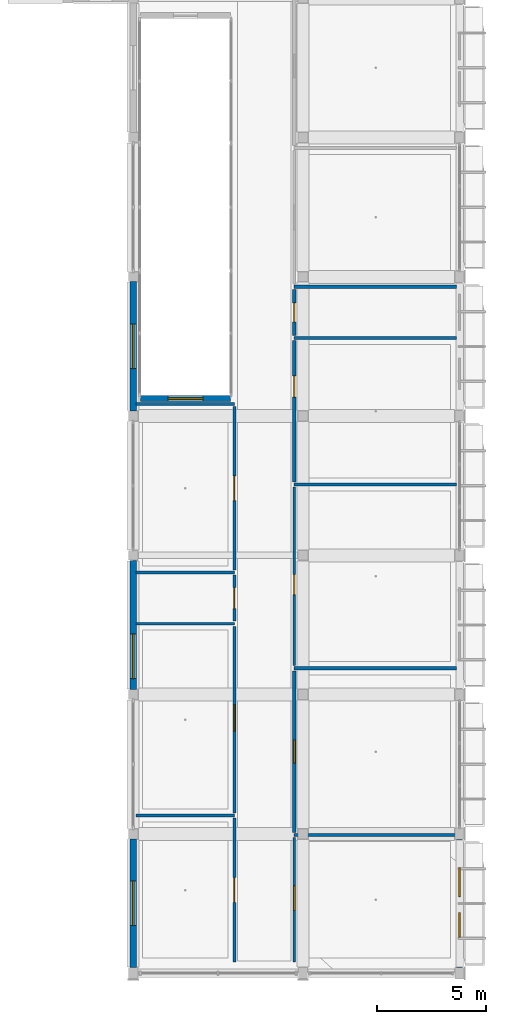
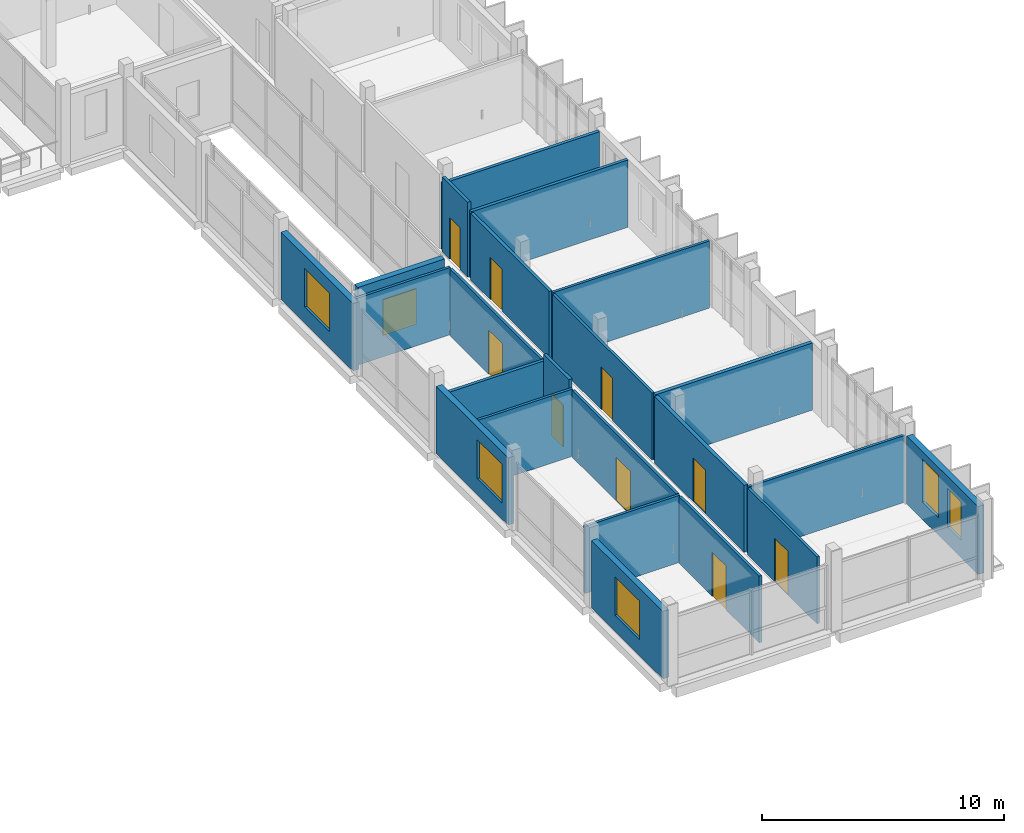
# One storey, part 59 of 86: 23 walls, 9 doors, 6 windows, 15 openings.
"""IFC4 building model written with IfcOpenShell, lengths in metres."""

from ifc_helpers import new_model, si_unit, derived_unit, direction, frame, frame_2d, origin, origin_with_axes, place, context, subcontext, project, spatial, rectangle, extrude, material, layer, layer_set, type_object, element, fill, save


model = new_model("IFC4")

# Units and contexts
model_context = context("Model", 3, precision=1e-05, world=origin(), true_north=direction((0.0, 1.0)))
body_context = subcontext(model_context, "Body", "Model", "MODEL_VIEW")
ifc_project = project(units=[si_unit("LENGTHUNIT", "METRE"), si_unit("AREAUNIT", "SQUARE_METRE"), si_unit("VOLUMEUNIT", "CUBIC_METRE"), si_unit("PLANEANGLEUNIT", "RADIAN"), si_unit("MASSUNIT", "GRAM", prefix="KILO"), derived_unit("THERMALTRANSMITTANCEUNIT", [(si_unit("POWERUNIT", "WATT"), 1), (si_unit("LENGTHUNIT", "METRE"), -2), (si_unit("THERMODYNAMICTEMPERATUREUNIT", "KELVIN"), -1)])], contexts=[model_context])

# Site, building, storey
site_placement = place(None, origin())
site = spatial("IfcSite", under=ifc_project, at=site_placement, CompositionType="ELEMENT")
building_placement = place(site_placement, origin())
building = spatial("IfcBuilding", under=site, at=building_placement, Name="Braskholm Square Health Centre", CompositionType="ELEMENT")
storey_placement = place(building_placement, frame((0.0, 0.0, 13.5)))
storey = spatial("IfcBuildingStorey", under=building, at=storey_placement, Name="L04", CompositionType="ELEMENT", Elevation=13.5)

# Wall, opening, door
ifc_material_1 = material(Name="Fire-rated gypsum board barrier")
ifc_layer_1 = layer(ifc_material_1, 0.175048828125)
ifc_layer_set_1 = layer_set([ifc_layer_1], Name="Fire-rated gypsum board barrier")
wall_type_1 = type_object("IfcWallType", Name="AmbulatoryFirePartition175", PredefinedType="PARTITIONING", material=ifc_layer_set_1)
wall_1_placement = place(storey_placement, frame((156.199951171875, 10.669921875, 0.0), z_axis=(0.0, 0.0, 1.0), x_axis=(0.0, 1.0, 0.0)))
wall_1 = element("IfcWall", 1, at=wall_1_placement, inside=storey, type_object=wall_type_1, Name="Interior partition PWALL-L04-0427", PredefinedType="PARTITIONING", context=body_context, shape_type="SweptSolid", body=[
    extrude(rectangle(XDim=7.420166015625, YDim=0.175048828125, at=frame_2d((3.7099609375, 0.0))), origin(), (0.0, 0.0, 1.0), 3.364990234375),
])
opening_1_placement = place(wall_1_placement, frame((3.179931640625, 0.0, 0.0)))
opening_1 = element("IfcOpeningElement", 2, at=opening_1_placement, cuts=wall_1, Name="Opening D-18", PredefinedType="OPENING", context=body_context, shape_type="SweptSolid", body=[
    extrude(rectangle(XDim=1.06005859375, YDim=2.199951171875, at=frame_2d((0.530029296875, 1.10009765625))), frame((0.0, 0.09765625, 0.0), z_axis=(0.0, -1.0, 0.0), x_axis=(1.0, 0.0, 0.0)), (0.0, 0.0, 1.0), 0.195068359375),
])
ifc_material_2 = material(Name="Architectural bronze anodised aluminium", Category="aluminium")
door_type_1 = type_object("IfcDoorType", Name="DoorFirePartitionSingle1060x2200", OperationType="NOTDEFINED", PredefinedType="DOOR", material=ifc_material_2)
door_1_placement = place(opening_1_placement, frame((1.06005859375, 0.0, 0.0), z_axis=(0.0, 0.0, 1.0), x_axis=(-1.0, 0.0, 0.0)))
door_1 = element("IfcDoor", 3, at=door_1_placement, inside=storey, type_object=door_type_1, Name="Interior door 0201 L04", OperationType="SINGLE_SWING_LEFT", OverallHeight=2.199951171875, OverallWidth=1.06005859375, PredefinedType="DOOR", context=body_context, shape_type="SweptSolid", body=[
    extrude(rectangle(XDim=1.06005859375, YDim=2.199951171875, at=frame_2d((0.530029296875, 1.10009765625))), frame((0.0, 0.02490234375, 0.0), z_axis=(0.0, -1.0, 0.0), x_axis=(1.0, 0.0, 0.0)), (0.0, 0.0, 1.0), 0.050048828125),
])
fill(opening_1, door_1)

# Wall
wall_2_placement = place(storey_placement, frame((156.199951171875, 18.2099609375, 0.0), z_axis=(0.0, 0.0, 1.0), x_axis=(1.0, 0.0, 0.0)))
element("IfcWall", 4, at=wall_2_placement, inside=storey, type_object=wall_type_1, Name="Interior partition PWALL-L04-0428", PredefinedType="PARTITIONING", context=body_context, shape_type="SweptSolid", body=[
    extrude(rectangle(XDim=7.4599609375, YDim=0.175048828125, at=frame_2d((3.72998046875, 0.0))), origin(), (0.0, 0.0, 1.0), 3.385009765625),
])

# Wall, opening, door
ifc_material_3 = material(Name="Acoustic gypsum board partition")
ifc_layer_2 = layer(ifc_material_3, 0.125)
ifc_layer_set_2 = layer_set([ifc_layer_2], Name="Acoustic gypsum board partition")
wall_type_2 = type_object("IfcWallType", Name="ClinicalExamPartition125", PredefinedType="PARTITIONING", material=ifc_layer_set_2)
wall_3_placement = place(storey_placement, frame((156.199951171875, 4.719970703125, 0.0), z_axis=(0.0, 0.0, 1.0), x_axis=(0.0, 1.0, 0.0)))
wall_3 = element("IfcWall", 5, at=wall_3_placement, inside=storey, type_object=wall_type_2, Name="Interior partition PWALL-L04-0425", PredefinedType="PARTITIONING", context=body_context, shape_type="SweptSolid", body=[
    extrude(rectangle(XDim=5.7099609375, YDim=0.125, at=frame_2d((2.85498046875, 0.0))), origin(), (0.0, 0.0, 1.0), 3.364990234375),
])
opening_2_placement = place(wall_3_placement, frame((2.3701171875, 0.0, 0.0)))
opening_2 = element("IfcOpeningElement", 6, at=opening_2_placement, cuts=wall_3, Name="Opening D-03", PredefinedType="OPENING", context=body_context, shape_type="SweptSolid", body=[
    extrude(rectangle(XDim=1.1201171875, YDim=2.199951171875, at=frame_2d((0.56005859375, 1.10009765625))), frame((0.0, 0.072509765625, 0.0), z_axis=(0.0, -1.0, 0.0), x_axis=(1.0, 0.0, 0.0)), (0.0, 0.0, 1.0), 0.14501953125),
])
door_type_2 = type_object("IfcDoorType", Name="DoorProcedure1120x2200", OperationType="NOTDEFINED", PredefinedType="DOOR", material=ifc_material_2)
door_2_placement = place(opening_2_placement, frame((1.1201171875, 0.0, 0.0), z_axis=(0.0, 0.0, 1.0), x_axis=(-1.0, 0.0, 0.0)))
door_2 = element("IfcDoor", 7, at=door_2_placement, inside=storey, type_object=door_type_2, Name="Interior door 0200 L04", OperationType="SINGLE_SWING_RIGHT", OverallHeight=2.199951171875, OverallWidth=1.1201171875, PredefinedType="DOOR", context=body_context, shape_type="SweptSolid", body=[
    extrude(rectangle(XDim=1.1201171875, YDim=2.199951171875, at=frame_2d((0.56005859375, 1.10009765625))), frame((0.0, 0.02490234375, 0.0), z_axis=(0.0, -1.0, 0.0), x_axis=(1.0, 0.0, 0.0)), (0.0, 0.0, 1.0), 0.050048828125),
])
fill(opening_2, door_2)

# Wall
wall_4_placement = place(storey_placement, frame((156.199951171875, 10.550048828125, 0.0), z_axis=(0.0, 0.0, 1.0), x_axis=(1.0, 0.0, 0.0)))
element("IfcWall", 8, at=wall_4_placement, inside=storey, type_object=wall_type_2, Name="Interior partition PWALL-L04-0426", PredefinedType="PARTITIONING", context=body_context, shape_type="SweptSolid", body=[
    extrude(rectangle(XDim=7.4599609375, YDim=0.125, at=frame_2d((3.72998046875, 0.0))), origin(), (0.0, 0.0, 1.0), 3.364990234375),
])

# Wall, opening, door
wall_5_placement = place(storey_placement, frame((156.199951171875, 18.330078125, 0.0), z_axis=(0.0, 0.0, 1.0), x_axis=(0.0, 1.0, 0.0)))
wall_5 = element("IfcWall", 9, at=wall_5_placement, inside=storey, type_object=wall_type_2, Name="Interior partition PWALL-L04-0429", PredefinedType="PARTITIONING", context=body_context, shape_type="SweptSolid", body=[
    extrude(rectangle(XDim=8.2099609375, YDim=0.125, at=frame_2d((4.10498046875, 0.0))), origin(), (0.0, 0.0, 1.0), 3.364990234375),
])
opening_3_placement = place(wall_5_placement, frame((3.26904296875, 0.0, 0.0)))
opening_3 = element("IfcOpeningElement", 10, at=opening_3_placement, cuts=wall_5, Name="Opening D-01", PredefinedType="OPENING", context=body_context, shape_type="SweptSolid", body=[
    extrude(rectangle(XDim=0.919921875, YDim=2.14990234375, at=frame_2d((0.4599609375, 1.074951171875))), frame((0.0, 0.072509765625, 0.0), z_axis=(0.0, -1.0, 0.0), x_axis=(1.0, 0.0, 0.0)), (0.0, 0.0, 1.0), 0.14501953125),
])
door_type_3 = type_object("IfcDoorType", Name="DoorConsultSingle920x2150", OperationType="NOTDEFINED", PredefinedType="DOOR", material=ifc_material_2)
door_3_placement = place(opening_3_placement, frame((0.919921875, 0.0, 0.0), z_axis=(0.0, 0.0, 1.0), x_axis=(-1.0, 0.0, 0.0)))
door_3 = element("IfcDoor", 11, at=door_3_placement, inside=storey, type_object=door_type_3, Name="Interior door 0202 L04", OperationType="SINGLE_SWING_RIGHT", OverallHeight=2.14990234375, OverallWidth=0.919921875, PredefinedType="DOOR", context=body_context, shape_type="SweptSolid", body=[
    extrude(rectangle(XDim=0.919921875, YDim=2.14990234375, at=frame_2d((0.4599609375, 1.074951171875))), frame((0.0, 0.02490234375, 0.0), z_axis=(0.0, -1.0, 0.0), x_axis=(1.0, 0.0, 0.0)), (0.0, 0.0, 1.0), 0.050048828125),
])
fill(opening_3, door_3)

# Wall
wall_6_placement = place(storey_placement, frame((156.199951171875, 26.659912109375, 0.0), z_axis=(0.0, 0.0, 1.0), x_axis=(1.0, 0.0, 0.0)))
element("IfcWall", 12, at=wall_6_placement, inside=storey, type_object=wall_type_2, Name="Interior partition PWALL-L04-0430", PredefinedType="PARTITIONING", context=body_context, shape_type="SweptSolid", body=[
    extrude(rectangle(XDim=7.4599609375, YDim=0.125, at=frame_2d((3.72998046875, 0.0))), origin(), (0.0, 0.0, 1.0), 3.385009765625),
])

# Wall, opening, door
wall_7_placement = place(storey_placement, frame((153.449951171875, 4.719970703125, 0.0), z_axis=(0.0, 0.0, 1.0), x_axis=(0.0, 1.0, 0.0)))
wall_7 = element("IfcWall", 13, at=wall_7_placement, inside=storey, type_object=wall_type_2, Name="Interior partition PWALL-L04-0455", PredefinedType="PARTITIONING", context=body_context, shape_type="SweptSolid", body=[
    extrude(rectangle(XDim=6.60009765625, YDim=0.125, at=frame_2d((3.300048828125, 0.0))), origin(), (0.0, 0.0, 1.0), 3.364990234375),
])
opening_4_placement = place(wall_7_placement, frame((2.72998046875, 0.0, 0.0)))
opening_4 = element("IfcOpeningElement", 14, at=opening_4_placement, cuts=wall_7, Name="Opening D-26", PredefinedType="OPENING", context=body_context, shape_type="SweptSolid", body=[
    extrude(rectangle(XDim=1.139892578125, YDim=2.219970703125, at=frame_2d((0.56982421875, 1.10986328125))), frame((0.0, 0.072509765625, 0.0), z_axis=(0.0, -1.0, 0.0), x_axis=(1.0, 0.0, 0.0)), (0.0, 0.0, 1.0), 0.14501953125),
])
door_type_4 = type_object("IfcDoorType", Name="DoorExamWide1140x2220", OperationType="NOTDEFINED", PredefinedType="DOOR", material=ifc_material_2)
door_4_placement = place(opening_4_placement, origin_with_axes())
door_4 = element("IfcDoor", 15, at=door_4_placement, inside=storey, type_object=door_type_4, Name="Interior door 0215 L04", OperationType="SINGLE_SWING_LEFT", OverallHeight=2.219970703125, OverallWidth=1.139892578125, PredefinedType="DOOR", context=body_context, shape_type="SweptSolid", body=[
    extrude(rectangle(XDim=1.139892578125, YDim=2.219970703125, at=frame_2d((0.56982421875, 1.10986328125))), frame((0.0, 0.02490234375, 0.0), z_axis=(0.0, -1.0, 0.0), x_axis=(1.0, 0.0, 0.0)), (0.0, 0.0, 1.0), 0.050048828125),
])
fill(opening_4, door_4)

# Wall
wall_8_placement = place(storey_placement, frame((148.93994140625, 11.43994140625, 0.0), z_axis=(0.0, 0.0, 1.0), x_axis=(1.0, 0.0, 0.0)))
element("IfcWall", 16, at=wall_8_placement, inside=storey, type_object=wall_type_2, Name="Interior partition PWALL-L04-0456", PredefinedType="PARTITIONING", context=body_context, shape_type="SweptSolid", body=[
    extrude(rectangle(XDim=4.510009765625, YDim=0.125, at=frame_2d((2.2548828125, 0.0))), origin(), (0.0, 0.0, 1.0), 3.385009765625),
])

# Wall, opening, door
wall_9_placement = place(storey_placement, frame((153.449951171875, 11.56005859375, 0.0), z_axis=(0.0, 0.0, 1.0), x_axis=(0.0, 1.0, 0.0)))
wall_9 = element("IfcWall", 17, at=wall_9_placement, inside=storey, type_object=wall_type_2, Name="Interior partition PWALL-L04-0457", PredefinedType="PARTITIONING", context=body_context, shape_type="SweptSolid", body=[
    extrude(rectangle(XDim=8.579833984375, YDim=0.125, at=frame_2d((4.2900390625, 0.0))), origin(), (0.0, 0.0, 1.0), 3.364990234375),
])
opening_5_placement = place(wall_9_placement, frame((3.756103515625, 0.0, 0.0)))
opening_5 = element("IfcOpeningElement", 18, at=opening_5_placement, cuts=wall_9, Name="Opening D-04", PredefinedType="OPENING", context=body_context, shape_type="SweptSolid", body=[
    extrude(rectangle(XDim=1.219970703125, YDim=2.199951171875, at=frame_2d((0.60986328125, 1.10009765625))), frame((0.0, 0.072509765625, 0.0), z_axis=(0.0, -1.0, 0.0), x_axis=(1.0, 0.0, 0.0)), (0.0, 0.0, 1.0), 0.14501953125),
])
door_type_5 = type_object("IfcDoorType", Name="DoorBariatricExam1220x2200", OperationType="NOTDEFINED", PredefinedType="DOOR", material=ifc_material_2)
door_5_placement = place(opening_5_placement, origin_with_axes())
door_5 = element("IfcDoor", 19, at=door_5_placement, inside=storey, type_object=door_type_5, Name="Interior door 0216 L04", OperationType="SINGLE_SWING_RIGHT", OverallHeight=2.199951171875, OverallWidth=1.219970703125, PredefinedType="DOOR", context=body_context, shape_type="SweptSolid", body=[
    extrude(rectangle(XDim=1.219970703125, YDim=2.199951171875, at=frame_2d((0.60986328125, 1.10009765625))), frame((0.0, 0.02490234375, 0.0), z_axis=(0.0, -1.0, 0.0), x_axis=(1.0, 0.0, 0.0)), (0.0, 0.0, 1.0), 0.050048828125),
])
fill(opening_5, door_5)

# Wall
wall_10_placement = place(storey_placement, frame((148.93994140625, 20.260009765625, 0.0), z_axis=(0.0, 0.0, 1.0), x_axis=(1.0, 0.0, 0.0)))
element("IfcWall", 20, at=wall_10_placement, inside=storey, type_object=wall_type_2, Name="Interior partition PWALL-L04-0458", PredefinedType="PARTITIONING", context=body_context, shape_type="SweptSolid", body=[
    extrude(rectangle(XDim=4.510009765625, YDim=0.125, at=frame_2d((2.2548828125, 0.0))), origin(), (0.0, 0.0, 1.0), 3.385009765625),
])

# Wall, opening, door
wall_11_placement = place(storey_placement, frame((153.449951171875, 22.72998046875, 0.0), z_axis=(0.0, 0.0, 1.0), x_axis=(0.0, 1.0, 0.0)))
wall_11 = element("IfcWall", 21, at=wall_11_placement, inside=storey, type_object=wall_type_2, Name="Interior partition PWALL-L04-0461", PredefinedType="PARTITIONING", context=body_context, shape_type="SweptSolid", body=[
    extrude(rectangle(XDim=7.5, YDim=0.125, at=frame_2d((3.75, 0.0))), origin(), (0.0, 0.0, 1.0), 3.364990234375),
])
opening_6_placement = place(wall_11_placement, frame((3.179931640625, 0.0, 0.0)))
opening_6 = element("IfcOpeningElement", 22, at=opening_6_placement, cuts=wall_11, Name="Opening D-26", PredefinedType="OPENING", context=body_context, shape_type="SweptSolid", body=[
    extrude(rectangle(XDim=1.139892578125, YDim=2.219970703125, at=frame_2d((0.56982421875, 1.10986328125))), frame((0.0, 0.072509765625, 0.0), z_axis=(0.0, -1.0, 0.0), x_axis=(1.0, 0.0, 0.0)), (0.0, 0.0, 1.0), 0.14501953125),
])
door_6_placement = place(opening_6_placement, origin_with_axes())
door_6 = element("IfcDoor", 23, at=door_6_placement, inside=storey, type_object=door_type_4, Name="Interior door 0218 L04", OperationType="SINGLE_SWING_RIGHT", OverallHeight=2.219970703125, OverallWidth=1.139892578125, PredefinedType="DOOR", context=body_context, shape_type="SweptSolid", body=[
    extrude(rectangle(XDim=1.139892578125, YDim=2.219970703125, at=frame_2d((0.56982421875, 1.10986328125))), frame((0.0, 0.02490234375, 0.0), z_axis=(0.0, -1.0, 0.0), x_axis=(1.0, 0.0, 0.0)), (0.0, 0.0, 1.0), 0.050048828125),
])
fill(opening_6, door_6)

# Wall
wall_12_placement = place(storey_placement, frame((148.93994140625, 30.35009765625, 0.0), z_axis=(0.0, 0.0, 1.0), x_axis=(1.0, 0.0, 0.0)))
element("IfcWall", 24, at=wall_12_placement, inside=storey, type_object=wall_type_2, Name="Interior partition PWALL-L04-0462", PredefinedType="PARTITIONING", context=body_context, shape_type="SweptSolid", body=[
    extrude(rectangle(XDim=4.510009765625, YDim=0.125, at=frame_2d((2.2548828125, 0.0))), origin(), (0.0, 0.0, 1.0), 3.385009765625),
])

# Wall, opening, door
ifc_layer_3 = layer(ifc_material_3, 0.14990234375)
ifc_layer_set_3 = layer_set([ifc_layer_3], Name="Acoustic gypsum board partition")
wall_type_3 = type_object("IfcWallType", Name="CorridorAcousticPartition150", PredefinedType="PARTITIONING", material=ifc_layer_set_3)
wall_13_placement = place(storey_placement, frame((156.199951171875, 26.780029296875, 0.0), z_axis=(0.0, 0.0, 1.0), x_axis=(0.0, 1.0, 0.0)))
wall_13 = element("IfcWall", 25, at=wall_13_placement, inside=storey, type_object=wall_type_3, Name="Interior partition PWALL-L04-0431", PredefinedType="PARTITIONING", context=body_context, shape_type="SweptSolid", body=[
    extrude(rectangle(XDim=6.489990234375, YDim=0.14990234375, at=frame_2d((3.2451171875, 0.0))), origin(), (0.0, 0.0, 1.0), 3.364990234375),
])
opening_7_placement = place(wall_13_placement, frame((3.888916015625, 0.0, 0.0)))
opening_7 = element("IfcOpeningElement", 26, at=opening_7_placement, cuts=wall_13, Name="Opening D-10", PredefinedType="OPENING", context=body_context, shape_type="SweptSolid", body=[
    extrude(rectangle(XDim=0.97998046875, YDim=2.1201171875, at=frame_2d((0.489990234375, 1.06005859375))), frame((0.0, 0.0849609375, 0.0), z_axis=(0.0, -1.0, 0.0), x_axis=(1.0, 0.0, 0.0)), (0.0, 0.0, 1.0), 0.169921875),
])
door_type_6 = type_object("IfcDoorType", Name="DoorUtilityStore980x2120", OperationType="NOTDEFINED", PredefinedType="DOOR", material=ifc_material_2)
door_7_placement = place(opening_7_placement, frame((0.97998046875, 0.0, 0.0), z_axis=(0.0, 0.0, 1.0), x_axis=(-1.0, 0.0, 0.0)))
door_7 = element("IfcDoor", 27, at=door_7_placement, inside=storey, type_object=door_type_6, Name="Interior door 0203 L04", OperationType="SINGLE_SWING_LEFT", OverallHeight=2.1201171875, OverallWidth=0.97998046875, PredefinedType="DOOR", context=body_context, shape_type="SweptSolid", body=[
    extrude(rectangle(XDim=0.97998046875, YDim=2.1201171875, at=frame_2d((0.489990234375, 1.06005859375))), frame((0.0, 0.02490234375, 0.0), z_axis=(0.0, -1.0, 0.0), x_axis=(1.0, 0.0, 0.0)), (0.0, 0.0, 1.0), 0.050048828125),
])
fill(opening_7, door_7)

# Wall
wall_14_placement = place(storey_placement, frame((156.199951171875, 33.389892578125, 0.0), z_axis=(0.0, 0.0, 1.0), x_axis=(1.0, 0.0, 0.0)))
element("IfcWall", 28, at=wall_14_placement, inside=storey, type_object=wall_type_3, Name="Interior partition PWALL-L04-0432", PredefinedType="PARTITIONING", context=body_context, shape_type="SweptSolid", body=[
    extrude(rectangle(XDim=7.4599609375, YDim=0.14990234375, at=frame_2d((3.72998046875, 0.0))), origin(), (0.0, 0.0, 1.0), 3.385009765625),
])

# Wall, opening, door
wall_15_placement = place(storey_placement, frame((156.199951171875, 33.510009765625, 0.0), z_axis=(0.0, 0.0, 1.0), x_axis=(0.0, 1.0, 0.0)))
wall_15 = element("IfcWall", 29, at=wall_15_placement, inside=storey, type_object=wall_type_3, Name="Interior partition PWALL-L04-0433", PredefinedType="PARTITIONING", context=body_context, shape_type="SweptSolid", body=[
    extrude(rectangle(XDim=2.110107421875, YDim=0.14990234375, at=frame_2d((1.05517578125, 0.0))), origin(), (0.0, 0.0, 1.0), 3.764892578125),
])
opening_8_placement = place(wall_15_placement, frame((0.614990234375, 0.0, 0.0)))
opening_8 = element("IfcOpeningElement", 30, at=opening_8_placement, cuts=wall_15, Name="Opening D-06", PredefinedType="OPENING", context=body_context, shape_type="SweptSolid", body=[
    extrude(rectangle(XDim=0.8798828125, YDim=2.10009765625, at=frame_2d((0.43994140625, 1.050048828125))), frame((0.0, 0.0849609375, 0.0), z_axis=(0.0, -1.0, 0.0), x_axis=(1.0, 0.0, 0.0)), (0.0, 0.0, 1.0), 0.169921875),
])
door_type_7 = type_object("IfcDoorType", Name="DoorStaffWC880x2100", OperationType="NOTDEFINED", PredefinedType="DOOR", material=ifc_material_2)
door_8_placement = place(opening_8_placement, frame((0.8798828125, 0.0, 0.0), z_axis=(0.0, 0.0, 1.0), x_axis=(-1.0, 0.0, 0.0)))
door_8 = element("IfcDoor", 31, at=door_8_placement, inside=storey, type_object=door_type_7, Name="Interior door 0204 L04", OperationType="SINGLE_SWING_RIGHT", OverallHeight=2.10009765625, OverallWidth=0.8798828125, PredefinedType="DOOR", context=body_context, shape_type="SweptSolid", body=[
    extrude(rectangle(XDim=0.8798828125, YDim=2.10009765625, at=frame_2d((0.43994140625, 1.050048828125))), frame((0.0, 0.02490234375, 0.0), z_axis=(0.0, -1.0, 0.0), x_axis=(1.0, 0.0, 0.0)), (0.0, 0.0, 1.0), 0.050048828125),
])
fill(opening_8, door_8)

# Wall
wall_16_placement = place(storey_placement, frame((156.199951171875, 35.739990234375, 0.0), z_axis=(0.0, 0.0, 1.0), x_axis=(1.0, 0.0, 0.0)))
element("IfcWall", 32, at=wall_16_placement, inside=storey, type_object=wall_type_3, Name="Interior partition PWALL-L04-0434", PredefinedType="PARTITIONING", context=body_context, shape_type="SweptSolid", body=[
    extrude(rectangle(XDim=7.4599609375, YDim=0.14990234375, at=frame_2d((3.72998046875, 0.0))), origin(), (0.0, 0.0, 1.0), 3.385009765625),
])

# Wall, opening, door
wall_17_placement = place(storey_placement, frame((153.449951171875, 20.3798828125, 0.0), z_axis=(0.0, 0.0, 1.0), x_axis=(0.0, 1.0, 0.0)))
wall_17 = element("IfcWall", 33, at=wall_17_placement, inside=storey, type_object=wall_type_3, Name="Interior partition PWALL-L04-0459", PredefinedType="PARTITIONING", context=body_context, shape_type="SweptSolid", body=[
    extrude(rectangle(XDim=2.110107421875, YDim=0.14990234375, at=frame_2d((1.05517578125, 0.0))), origin(), (0.0, 0.0, 1.0), 3.764892578125),
])
opening_9_placement = place(wall_17_placement, frame((0.574951171875, 0.0, 0.0)))
opening_9 = element("IfcOpeningElement", 34, at=opening_9_placement, cuts=wall_17, Name="Opening D-05", PredefinedType="OPENING", context=body_context, shape_type="SweptSolid", body=[
    extrude(rectangle(XDim=0.9599609375, YDim=2.10009765625, at=frame_2d((0.47998046875, 1.050048828125))), frame((0.0, 0.0849609375, 0.0), z_axis=(0.0, -1.0, 0.0), x_axis=(1.0, 0.0, 0.0)), (0.0, 0.0, 1.0), 0.169921875),
])
door_type_8 = type_object("IfcDoorType", Name="DoorAccessibleWC960x2100", OperationType="NOTDEFINED", PredefinedType="DOOR", material=ifc_material_2)
door_9_placement = place(opening_9_placement, origin_with_axes())
door_9 = element("IfcDoor", 35, at=door_9_placement, inside=storey, type_object=door_type_8, Name="Interior door 0217 L04", OperationType="SINGLE_SWING_LEFT", OverallHeight=2.10009765625, OverallWidth=0.9599609375, PredefinedType="DOOR", context=body_context, shape_type="SweptSolid", body=[
    extrude(rectangle(XDim=0.9599609375, YDim=2.10009765625, at=frame_2d((0.47998046875, 1.050048828125))), frame((0.0, 0.02490234375, 0.0), z_axis=(0.0, -1.0, 0.0), x_axis=(1.0, 0.0, 0.0)), (0.0, 0.0, 1.0), 0.050048828125),
])
fill(opening_9, door_9)

# Wall
wall_18_placement = place(storey_placement, frame((148.93994140625, 22.610107421875, 0.0), z_axis=(0.0, 0.0, 1.0), x_axis=(1.0, 0.0, 0.0)))
element("IfcWall", 36, at=wall_18_placement, inside=storey, type_object=wall_type_3, Name="Interior partition PWALL-L04-0460", PredefinedType="PARTITIONING", context=body_context, shape_type="SweptSolid", body=[
    extrude(rectangle(XDim=4.510009765625, YDim=0.14990234375, at=frame_2d((2.2548828125, 0.0))), origin(), (0.0, 0.0, 1.0), 3.385009765625),
])

# Wall, openings, windows
ifc_material_4 = material(Name="Precast concrete C40/50 architectural white", Category="concrete")
ifc_layer_4 = layer(ifc_material_4, 0.280029296875)
ifc_layer_set_4 = layer_set([ifc_layer_4], Name="Precast concrete C40/50 architectural white")
wall_type_4 = type_object("IfcWallType", Name="ExteriorPrecastSpandrelWall280", PredefinedType="SOLIDWALL", material=ifc_layer_set_4)
wall_19_placement = place(storey_placement, frame((163.800048828125, 4.4619140625, 0.0), z_axis=(0.0, 0.0, 1.0), x_axis=(0.0, 1.0, 0.0)))
wall_19 = element("IfcWall", 37, at=wall_19_placement, inside=storey, type_object=wall_type_4, Name="Exterior wall EWALL-L04-0078", PredefinedType="SOLIDWALL", context=body_context, shape_type="SweptSolid", body=[
    extrude(rectangle(XDim=5.8759765625, YDim=0.280029296875, at=frame_2d((2.93798828125, 0.0))), origin(), (0.0, 0.0, 1.0), 3.419921875),
])
opening_10_placement = place(wall_19_placement, frame((1.39892578125, 0.0, 0.8798828125)))
opening_10 = element("IfcOpeningElement", 38, at=opening_10_placement, cuts=wall_19, Name="Opening WN-34", PredefinedType="OPENING", context=body_context, shape_type="SweptSolid", body=[
    extrude(rectangle(XDim=1.1201171875, YDim=1.949951171875, at=frame_2d((0.56005859375, 0.97509765625))), frame((0.0, 0.14990234375, 0.0), z_axis=(0.0, -1.0, 0.0), x_axis=(1.0, 0.0, 0.0)), (0.0, 0.0, 1.0), 0.300048828125),
])
opening_11_placement = place(wall_19_placement, frame((3.257080078125, 0.0, 0.8798828125)))
opening_11 = element("IfcOpeningElement", 39, at=opening_11_placement, cuts=wall_19, Name="Opening WN-39", PredefinedType="OPENING", context=body_context, shape_type="SweptSolid", body=[
    extrude(rectangle(XDim=1.320068359375, YDim=2.14990234375, at=frame_2d((0.66015625, 1.074951171875))), frame((0.0, 0.14990234375, 0.0), z_axis=(0.0, -1.0, 0.0), x_axis=(1.0, 0.0, 0.0)), (0.0, 0.0, 1.0), 0.300048828125),
])
ifc_material_5 = material(Name="Low-E triple insulating glass (VLT 0.64)", Category="glass")
window_type_1 = type_object("IfcWindowType", Name="WinArtDecoMed1120x1950", PartitioningType="SINGLE_PANEL", PredefinedType="WINDOW", material=ifc_material_5)
window_1_placement = place(opening_10_placement, origin_with_axes())
window_1 = element("IfcWindow", 40, at=window_1_placement, inside=storey, type_object=window_type_1, Name="Exterior window 0137 L04", OverallHeight=1.949951171875, OverallWidth=1.1201171875, PartitioningType="SINGLE_PANEL", PredefinedType="WINDOW", context=body_context, shape_type="SweptSolid", body=[
    extrude(rectangle(XDim=1.1201171875, YDim=1.949951171875, at=frame_2d((0.56005859375, 0.97509765625))), frame((0.0, 0.030029296875, 0.0), z_axis=(0.0, -1.0, 0.0), x_axis=(1.0, 0.0, 0.0)), (0.0, 0.0, 1.0), 0.06005859375),
])
fill(opening_10, window_1)
window_type_2 = type_object("IfcWindowType", Name="WinArtDecoTall1320x2150", PartitioningType="SINGLE_PANEL", PredefinedType="WINDOW", material=ifc_material_5)
window_2_placement = place(opening_11_placement, origin_with_axes())
window_2 = element("IfcWindow", 41, at=window_2_placement, inside=storey, type_object=window_type_2, Name="Exterior window 0138 L04", OverallHeight=2.14990234375, OverallWidth=1.320068359375, PartitioningType="SINGLE_PANEL", PredefinedType="WINDOW", context=body_context, shape_type="SweptSolid", body=[
    extrude(rectangle(XDim=1.320068359375, YDim=2.14990234375, at=frame_2d((0.66015625, 1.074951171875))), frame((0.0, 0.030029296875, 0.0), z_axis=(0.0, -1.0, 0.0), x_axis=(1.0, 0.0, 0.0)), (0.0, 0.0, 1.0), 0.06005859375),
])
fill(opening_11, window_2)

# Wall, opening, window
wall_20_placement = place(storey_placement, frame((148.800048828125, 10.373046875, 0.0), z_axis=(0.0, 0.0, 1.0), x_axis=(0.0, -1.0, 0.0)))
wall_20 = element("IfcWall", 42, at=wall_20_placement, inside=storey, type_object=wall_type_4, Name="Exterior wall EWALL-L04-0192", PredefinedType="SOLIDWALL", context=body_context, shape_type="SweptSolid", body=[
    extrude(rectangle(XDim=5.9111328125, YDim=0.280029296875, at=frame_2d((2.95556640625, 0.0))), origin(), (0.0, 0.0, 1.0), 3.389892578125),
])
opening_12_placement = place(wall_20_placement, frame((1.929931640625, 0.0, 0.800048828125)))
opening_12 = element("IfcOpeningElement", 43, at=opening_12_placement, cuts=wall_20, Name="Opening WN-25", PredefinedType="OPENING", context=body_context, shape_type="SweptSolid", body=[
    extrude(rectangle(XDim=2.050048828125, YDim=1.949951171875, at=frame_2d((1.02490234375, 0.97509765625))), frame((0.0, 0.14990234375, 0.0), z_axis=(0.0, -1.0, 0.0), x_axis=(1.0, 0.0, 0.0)), (0.0, 0.0, 1.0), 0.300048828125),
])
window_type_3 = type_object("IfcWindowType", Name="WinValleyTerrace2050x1950", PartitioningType="SINGLE_PANEL", PredefinedType="WINDOW", material=ifc_material_5)
window_3_placement = place(opening_12_placement, origin_with_axes())
window_3 = element("IfcWindow", 44, at=window_3_placement, inside=storey, type_object=window_type_3, Name="Exterior window 0246 L04", OverallHeight=1.949951171875, OverallWidth=2.050048828125, PartitioningType="SINGLE_PANEL", PredefinedType="WINDOW", context=body_context, shape_type="SweptSolid", body=[
    extrude(rectangle(XDim=2.050048828125, YDim=1.949951171875, at=frame_2d((1.02490234375, 0.97509765625))), frame((0.0, 0.030029296875, 0.0), z_axis=(0.0, -1.0, 0.0), x_axis=(1.0, 0.0, 0.0)), (0.0, 0.0, 1.0), 0.06005859375),
])
fill(opening_12, window_3)

wall_21_placement = place(storey_placement, frame((148.800048828125, 23.173095703125, 0.0), z_axis=(0.0, 0.0, 1.0), x_axis=(0.0, -1.0, 0.0)))
wall_21 = element("IfcWall", 45, at=wall_21_placement, inside=storey, type_object=wall_type_4, Name="Exterior wall EWALL-L04-0193", PredefinedType="SOLIDWALL", context=body_context, shape_type="SweptSolid", body=[
    extrude(rectangle(XDim=5.946044921875, YDim=0.280029296875, at=frame_2d((2.97314453125, 0.0))), origin(), (0.0, 0.0, 1.0), 3.389892578125),
])
opening_13_placement = place(wall_21_placement, frame((3.385986328125, 0.0, 0.800048828125)))
opening_13 = element("IfcOpeningElement", 46, at=opening_13_placement, cuts=wall_21, Name="Opening WN-25", PredefinedType="OPENING", context=body_context, shape_type="SweptSolid", body=[
    extrude(rectangle(XDim=2.050048828125, YDim=1.949951171875, at=frame_2d((1.02490234375, 0.97509765625))), frame((0.0, 0.14990234375, 0.0), z_axis=(0.0, -1.0, 0.0), x_axis=(1.0, 0.0, 0.0)), (0.0, 0.0, 1.0), 0.300048828125),
])
window_4_placement = place(opening_13_placement, origin_with_axes())
window_4 = element("IfcWindow", 47, at=window_4_placement, inside=storey, type_object=window_type_3, Name="Exterior window 0247 L04", OverallHeight=1.949951171875, OverallWidth=2.050048828125, PartitioningType="SINGLE_PANEL", PredefinedType="WINDOW", context=body_context, shape_type="SweptSolid", body=[
    extrude(rectangle(XDim=2.050048828125, YDim=1.949951171875, at=frame_2d((1.02490234375, 0.97509765625))), frame((0.0, 0.030029296875, 0.0), z_axis=(0.0, -1.0, 0.0), x_axis=(1.0, 0.0, 0.0)), (0.0, 0.0, 1.0), 0.06005859375),
])
fill(opening_13, window_4)

wall_22_placement = place(storey_placement, frame((148.800048828125, 35.972900390625, 0.0), z_axis=(0.0, 0.0, 1.0), x_axis=(0.0, -1.0, 0.0)))
wall_22 = element("IfcWall", 48, at=wall_22_placement, inside=storey, type_object=wall_type_4, Name="Exterior wall EWALL-L04-0194", PredefinedType="SOLIDWALL", context=body_context, shape_type="SweptSolid", body=[
    extrude(rectangle(XDim=5.94580078125, YDim=0.280029296875, at=frame_2d((2.972900390625, 0.0))), origin(), (0.0, 0.0, 1.0), 3.389892578125),
])
opening_14_placement = place(wall_22_placement, frame((1.947998046875, 0.0, 0.800048828125)))
opening_14 = element("IfcOpeningElement", 49, at=opening_14_placement, cuts=wall_22, Name="Opening WN-25", PredefinedType="OPENING", context=body_context, shape_type="SweptSolid", body=[
    extrude(rectangle(XDim=2.050048828125, YDim=1.949951171875, at=frame_2d((1.02490234375, 0.97509765625))), frame((0.0, 0.14990234375, 0.0), z_axis=(0.0, -1.0, 0.0), x_axis=(1.0, 0.0, 0.0)), (0.0, 0.0, 1.0), 0.300048828125),
])
window_5_placement = place(opening_14_placement, origin_with_axes())
window_5 = element("IfcWindow", 50, at=window_5_placement, inside=storey, type_object=window_type_3, Name="Exterior window 0248 L04", OverallHeight=1.949951171875, OverallWidth=2.050048828125, PartitioningType="SINGLE_PANEL", PredefinedType="WINDOW", context=body_context, shape_type="SweptSolid", body=[
    extrude(rectangle(XDim=2.050048828125, YDim=1.949951171875, at=frame_2d((1.02490234375, 0.97509765625))), frame((0.0, 0.030029296875, 0.0), z_axis=(0.0, -1.0, 0.0), x_axis=(1.0, 0.0, 0.0)), (0.0, 0.0, 1.0), 0.06005859375),
])
fill(opening_14, window_5)

wall_23_placement = place(storey_placement, frame((153.26611328125, 30.60009765625, 0.0), z_axis=(0.0, 0.0, 1.0), x_axis=(-1.0, 0.0, 0.0)))
wall_23 = element("IfcWall", 51, at=wall_23_placement, inside=storey, type_object=wall_type_4, Name="Exterior wall EWALL-L04-0313", PredefinedType="SOLIDWALL", context=body_context, shape_type="SweptSolid", body=[
    extrude(rectangle(XDim=4.132080078125, YDim=0.280029296875, at=frame_2d((2.06591796875, 0.0))), origin(), (0.0, 0.0, 1.0), 3.77001953125),
])
opening_15_placement = place(wall_23_placement, frame((1.26611328125, 0.0, 0.85009765625)))
opening_15 = element("IfcOpeningElement", 52, at=opening_15_placement, cuts=wall_23, Name="Opening WN-27", PredefinedType="OPENING", context=body_context, shape_type="SweptSolid", body=[
    extrude(rectangle(XDim=1.60009765625, YDim=1.800048828125, at=frame_2d((0.800048828125, 0.89990234375))), frame((0.0, 0.14990234375, 0.0), z_axis=(0.0, -1.0, 0.0), x_axis=(1.0, 0.0, 0.0)), (0.0, 0.0, 1.0), 0.300048828125),
])
window_type_4 = type_object("IfcWindowType", Name="WinLightCourt1600x1800", PartitioningType="SINGLE_PANEL", PredefinedType="WINDOW", material=ifc_material_5)
window_6_placement = place(opening_15_placement, origin_with_axes())
window_6 = element("IfcWindow", 53, at=window_6_placement, inside=storey, type_object=window_type_4, Name="Exterior window 0359 L04", OverallHeight=1.800048828125, OverallWidth=1.60009765625, PartitioningType="SINGLE_PANEL", PredefinedType="WINDOW", context=body_context, shape_type="SweptSolid", body=[
    extrude(rectangle(XDim=1.60009765625, YDim=1.800048828125, at=frame_2d((0.800048828125, 0.89990234375))), frame((0.0, 0.030029296875, 0.0), z_axis=(0.0, -1.0, 0.0), x_axis=(1.0, 0.0, 0.0)), (0.0, 0.0, 1.0), 0.06005859375),
])
fill(opening_15, window_6)

save(model, "model.ifc")
